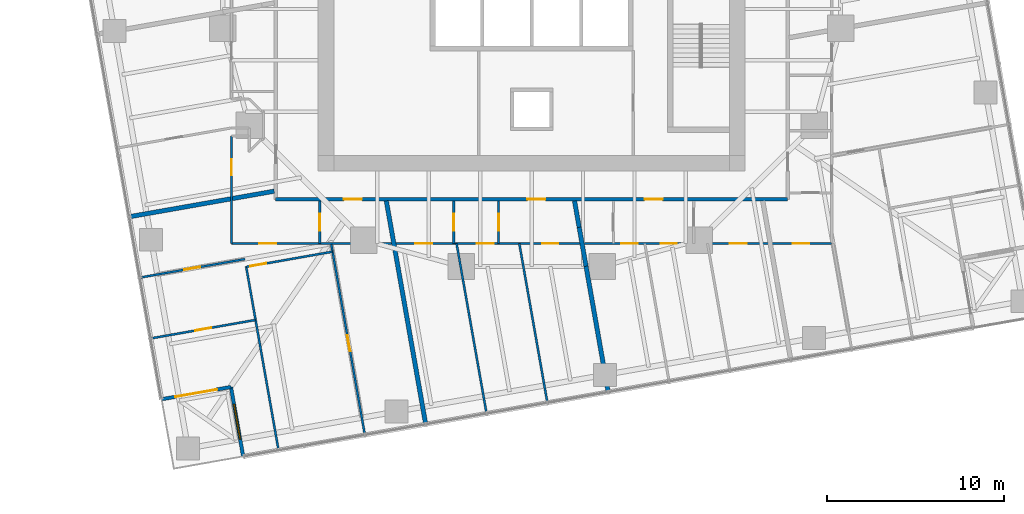
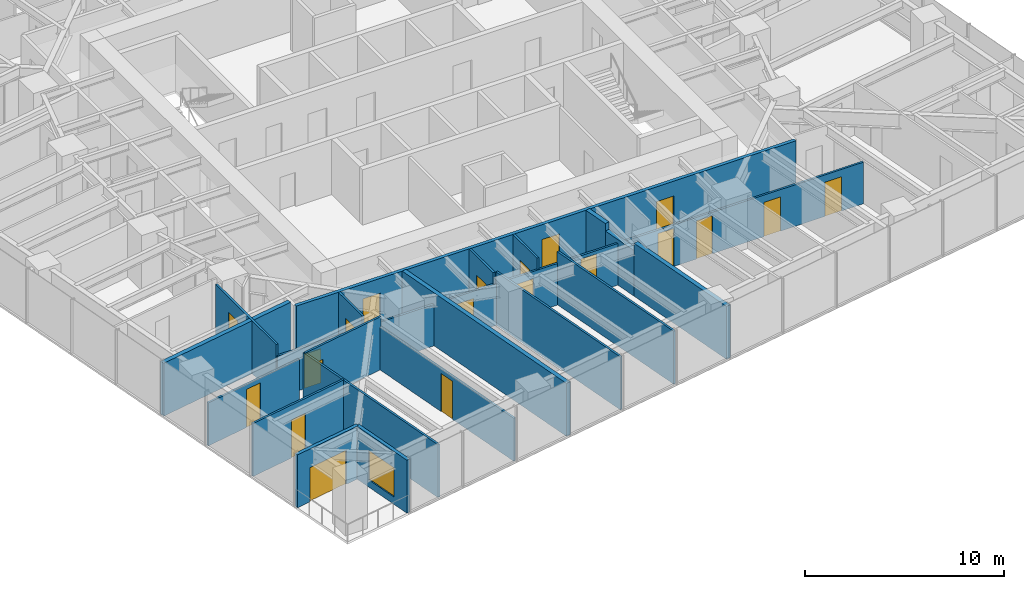
# One storey, part 8 of 14: 20 doors, 20 walls, 1 window, 21 openings.
"""IFC4 building model written with IfcOpenShell, lengths in metres."""

from ifc_helpers import new_model, si_unit, direction, frame, frame_2d, origin, place, context, subcontext, project, spatial, rectangle, extrude, material, layer, layer_set, type_object, element, fill, save


model = new_model("IFC4")

# Units and contexts
model_context = context("Model", 3, precision=1e-05, world=origin(), true_north=direction((0.0, 1.0)))
body_context = subcontext(model_context, "Body", "Model", "MODEL_VIEW")
ifc_project = project(units=[si_unit("LENGTHUNIT", "METRE"), si_unit("AREAUNIT", "SQUARE_METRE"), si_unit("VOLUMEUNIT", "CUBIC_METRE"), si_unit("PLANEANGLEUNIT", "RADIAN"), si_unit("MASSUNIT", "GRAM", prefix="KILO")], contexts=[model_context])

# Site, building, storey
site_placement = place(None, origin())
site = spatial("IfcSite", under=ifc_project, at=site_placement, CompositionType="ELEMENT")
building_placement = place(site_placement, origin())
building = spatial("IfcBuilding", under=site, at=building_placement, Name="Torsade Residences", CompositionType="ELEMENT")
storey_placement = place(building_placement, frame((0.0, 0.0, 96.39990234375)))
storey = spatial("IfcBuildingStorey", under=building, at=storey_placement, Name="L26", CompositionType="ELEMENT", Elevation=96.39990234375)

# Wall, openings, doors
ifc_material_1 = material(Name="Plasterboard on steel stud", Category="steel")
ifc_layer_1 = layer(ifc_material_1, 0.199951171875)
ifc_layer_set_1 = layer_set([ifc_layer_1], Name="Plasterboard on steel stud")
wall_type_1 = type_object("IfcWallType", Name="CORRIDOR WALL 200", PredefinedType="PARTITIONING", material=ifc_layer_set_1)
wall_1_placement = place(storey_placement, frame((25.5, 16.300048828125, 0.0), z_axis=(0.0, 0.0, 1.0), x_axis=(1.0, 0.0, 0.0)))
wall_1 = element("IfcWall", 1, at=wall_1_placement, inside=storey, type_object=wall_type_1, Name="Corridor wall L26", PredefinedType="PARTITIONING", context=body_context, shape_type="SweptSolid", body=[
    extrude(rectangle(XDim=29.0, YDim=0.199951171875, at=frame_2d((14.5, 0.0))), origin(), (0.0, 0.0, 1.0), 3.25),
])
opening_1_placement = place(wall_1_placement, frame((20.896240234375, 0.0, 0.0)))
opening_1 = element("IfcOpeningElement", 2, at=opening_1_placement, cuts=wall_1, Name="Opening D01", PredefinedType="OPENING", context=body_context, shape_type="SweptSolid", body=[
    extrude(rectangle(XDim=1.02001953125, YDim=2.340087890625, at=frame_2d((0.510009765625, 1.169921875))), frame((0.0, 0.10986328125, 0.0), z_axis=(0.0, -1.0, 0.0), x_axis=(1.0, 0.0, 0.0)), (0.0, 0.0, 1.0), 0.219970703125),
])
opening_2_placement = place(wall_1_placement, frame((14.257080078125, 0.0, 0.0)))
opening_2 = element("IfcOpeningElement", 3, at=opening_2_placement, cuts=wall_1, Name="Opening D01", PredefinedType="OPENING", context=body_context, shape_type="SweptSolid", body=[
    extrude(rectangle(XDim=1.02001953125, YDim=2.340087890625, at=frame_2d((0.510009765625, 1.169921875))), frame((0.0, 0.10986328125, 0.0), z_axis=(0.0, -1.0, 0.0), x_axis=(1.0, 0.0, 0.0)), (0.0, 0.0, 1.0), 0.219970703125),
])
opening_3_placement = place(wall_1_placement, frame((3.857421875, 0.0, 0.0)))
opening_3 = element("IfcOpeningElement", 4, at=opening_3_placement, cuts=wall_1, Name="Opening D01", PredefinedType="OPENING", context=body_context, shape_type="SweptSolid", body=[
    extrude(rectangle(XDim=1.02001953125, YDim=2.340087890625, at=frame_2d((0.510009765625, 1.169921875))), frame((0.0, 0.10986328125, 0.0), z_axis=(0.0, -1.0, 0.0), x_axis=(1.0, 0.0, 0.0)), (0.0, 0.0, 1.0), 0.219970703125),
])
ifc_material_2 = material(Name="Solid-core timber fire door", Category="wood")
door_type_1 = type_object("IfcDoorType", Name="APARTMENT ENTRY DOOR 1020x2340", OperationType="NOTDEFINED", PredefinedType="DOOR", material=ifc_material_2)
door_1_placement = place(opening_1_placement, origin())
door_1 = element("IfcDoor", 5, at=door_1_placement, inside=storey, type_object=door_type_1, Name="Door Residential corridor to Kitchen and dining", OperationType="SINGLE_SWING_LEFT", OverallHeight=2.340087890625, OverallWidth=1.02001953125, PredefinedType="DOOR", context=body_context, shape_type="SweptSolid", body=[
    extrude(rectangle(XDim=1.02001953125, YDim=2.340087890625, at=frame_2d((0.510009765625, 1.169921875))), frame((0.0, 0.02490234375, 0.0), z_axis=(0.0, -1.0, 0.0), x_axis=(1.0, 0.0, 0.0)), (0.0, 0.0, 1.0), 0.050048828125),
])
fill(opening_1, door_1)
door_2_placement = place(opening_2_placement, origin())
door_2 = element("IfcDoor", 6, at=door_2_placement, inside=storey, type_object=door_type_1, Name="Door Residential corridor to Kitchen and dining", OperationType="SINGLE_SWING_LEFT", OverallHeight=2.340087890625, OverallWidth=1.02001953125, PredefinedType="DOOR", context=body_context, shape_type="SweptSolid", body=[
    extrude(rectangle(XDim=1.02001953125, YDim=2.340087890625, at=frame_2d((0.510009765625, 1.169921875))), frame((0.0, 0.02490234375, 0.0), z_axis=(0.0, -1.0, 0.0), x_axis=(1.0, 0.0, 0.0)), (0.0, 0.0, 1.0), 0.050048828125),
])
fill(opening_2, door_2)
door_3_placement = place(opening_3_placement, origin())
door_3 = element("IfcDoor", 7, at=door_3_placement, inside=storey, type_object=door_type_1, Name="Door Residential corridor to Kitchen and dining", OperationType="SINGLE_SWING_RIGHT", OverallHeight=2.340087890625, OverallWidth=1.02001953125, PredefinedType="DOOR", context=body_context, shape_type="SweptSolid", body=[
    extrude(rectangle(XDim=1.02001953125, YDim=2.340087890625, at=frame_2d((0.510009765625, 1.169921875))), frame((0.0, 0.02490234375, 0.0), z_axis=(0.0, -1.0, 0.0), x_axis=(1.0, 0.0, 0.0)), (0.0, 0.0, 1.0), 0.050048828125),
])
fill(opening_3, door_3)

# Wall, opening, door
ifc_material_3 = material(Name="Plasterboard on steel stud", Category="steel")
ifc_layer_2 = layer(ifc_material_3, 0.1201171875)
ifc_layer_set_2 = layer_set([ifc_layer_2], Name="Plasterboard on steel stud")
wall_type_2 = type_object("IfcWallType", Name="PARTITION 120", PredefinedType="PARTITIONING", material=ifc_layer_set_2)
wall_2_placement = place(storey_placement, frame((23.0, 13.800048828125, 0.0), z_axis=(0.0, 0.0, 1.0), x_axis=(0.0, 1.0, 0.0)))
wall_2 = element("IfcWall", 8, at=wall_2_placement, inside=storey, type_object=wall_type_2, Name="Partition L26", PredefinedType="PARTITIONING", context=body_context, shape_type="SweptSolid", body=[
    extrude(rectangle(XDim=6.09423828125, YDim=0.1201171875, at=frame_2d((3.047119140625, 0.0))), origin(), (0.0, 0.0, 1.0), 3.25),
])
opening_4_placement = place(wall_2_placement, frame((3.857421875, 0.0, 0.0)))
opening_4 = element("IfcOpeningElement", 9, at=opening_4_placement, cuts=wall_2, Name="Opening D02", PredefinedType="OPENING", context=body_context, shape_type="SweptSolid", body=[
    extrude(rectangle(XDim=0.919921875, YDim=2.340087890625, at=frame_2d((0.4599609375, 1.169921875))), frame((0.0, 0.070068359375, 0.0), z_axis=(0.0, -1.0, 0.0), x_axis=(1.0, 0.0, 0.0)), (0.0, 0.0, 1.0), 0.14013671875),
])
ifc_material_4 = material(Name="Hollow-core timber door", Category="wood")
door_type_2 = type_object("IfcDoorType", Name="INTERNAL DOOR 920x2340", OperationType="NOTDEFINED", PredefinedType="DOOR", material=ifc_material_4)
door_4_placement = place(opening_4_placement, origin())
door_4 = element("IfcDoor", 10, at=door_4_placement, inside=storey, type_object=door_type_2, Name="Door Kitchen and dining to Bedroom 1", OperationType="SINGLE_SWING_LEFT", OverallHeight=2.340087890625, OverallWidth=0.919921875, PredefinedType="DOOR", context=body_context, shape_type="SweptSolid", body=[
    extrude(rectangle(XDim=0.919921875, YDim=2.340087890625, at=frame_2d((0.4599609375, 1.169921875))), frame((0.0, 0.02490234375, 0.0), z_axis=(0.0, -1.0, 0.0), x_axis=(1.0, 0.0, 0.0)), (0.0, 0.0, 1.0), 0.050048828125),
])
fill(opening_4, door_4)

wall_3_placement = place(storey_placement, frame((27.994873046875, 13.800048828125, 0.0), z_axis=(0.0, 0.0, 1.0), x_axis=(0.0, 1.0, 0.0)))
wall_3 = element("IfcWall", 11, at=wall_3_placement, inside=storey, type_object=wall_type_2, Name="Partition L26", PredefinedType="PARTITIONING", context=body_context, shape_type="SweptSolid", body=[
    extrude(rectangle(XDim=2.39990234375, YDim=0.1201171875, at=frame_2d((1.199951171875, 0.0))), origin(), (0.0, 0.0, 1.0), 3.25),
])
opening_5_placement = place(wall_3_placement, frame((0.719970703125, 0.0, 0.0)))
opening_5 = element("IfcOpeningElement", 12, at=opening_5_placement, cuts=wall_3, Name="Opening D05", PredefinedType="OPENING", context=body_context, shape_type="SweptSolid", body=[
    extrude(rectangle(XDim=0.9599609375, YDim=2.10009765625, at=frame_2d((0.47998046875, 1.050048828125))), frame((0.0, 0.070068359375, 0.0), z_axis=(0.0, -1.0, 0.0), x_axis=(1.0, 0.0, 0.0)), (0.0, 0.0, 1.0), 0.14013671875),
])
ifc_material_5 = material(Name="Hollow-core timber door in a steel cavity frame", Category="steel")
door_type_3 = type_object("IfcDoorType", Name="BATHROOM CAVITY SLIDING DOOR 960", OperationType="SLIDING_TO_LEFT", PredefinedType="DOOR", material=ifc_material_5)
door_5_placement = place(opening_5_placement, origin())
door_5 = element("IfcDoor", 13, at=door_5_placement, inside=storey, type_object=door_type_3, Name="Door Kitchen and dining to Bathroom", OperationType="SLIDING_TO_LEFT", OverallHeight=2.10009765625, OverallWidth=0.9599609375, PredefinedType="DOOR", context=body_context, shape_type="SweptSolid", body=[
    extrude(rectangle(XDim=0.9599609375, YDim=2.10009765625, at=frame_2d((0.47998046875, 1.050048828125))), frame((0.0, 0.02490234375, 0.0), z_axis=(0.0, -1.0, 0.0), x_axis=(1.0, 0.0, 0.0)), (0.0, 0.0, 1.0), 0.050048828125),
])
fill(opening_5, door_5)

# Wall, openings, doors
wall_4_placement = place(storey_placement, frame((57.0, 13.800048828125, 0.0), z_axis=(0.0, 0.0, 1.0), x_axis=(-1.0, 0.0, 0.0)))
wall_4 = element("IfcWall", 14, at=wall_4_placement, inside=storey, type_object=wall_type_2, Name="Partition L26", PredefinedType="PARTITIONING", context=body_context, shape_type="SweptSolid", body=[
    extrude(rectangle(XDim=34.0, YDim=0.1201171875, at=frame_2d((17.0, 0.0))), origin(), (0.0, 0.0, 1.0), 2.550048828125),
])
opening_6_placement = place(wall_4_placement, frame((8.767822265625, 0.0, 0.0)))
opening_6 = element("IfcOpeningElement", 15, at=opening_6_placement, cuts=wall_4, Name="Opening D02", PredefinedType="OPENING", context=body_context, shape_type="SweptSolid", body=[
    extrude(rectangle(XDim=0.919921875, YDim=2.340087890625, at=frame_2d((0.4599609375, 1.169921875))), frame((0.0, 0.070068359375, 0.0), z_axis=(0.0, -1.0, 0.0), x_axis=(1.0, 0.0, 0.0)), (0.0, 0.0, 1.0), 0.14013671875),
])
opening_7_placement = place(wall_4_placement, frame((10.995361328125, 0.0, 0.0)))
opening_7 = element("IfcOpeningElement", 16, at=opening_7_placement, cuts=wall_4, Name="Opening D02", PredefinedType="OPENING", context=body_context, shape_type="SweptSolid", body=[
    extrude(rectangle(XDim=0.919921875, YDim=2.340087890625, at=frame_2d((0.4599609375, 1.169921875))), frame((0.0, 0.070068359375, 0.0), z_axis=(0.0, -1.0, 0.0), x_axis=(1.0, 0.0, 0.0)), (0.0, 0.0, 1.0), 0.14013671875),
])
opening_8_placement = place(wall_4_placement, frame((15.48583984375, 0.0, 0.0)))
opening_8 = element("IfcOpeningElement", 17, at=opening_8_placement, cuts=wall_4, Name="Opening D02", PredefinedType="OPENING", context=body_context, shape_type="SweptSolid", body=[
    extrude(rectangle(XDim=0.919921875, YDim=2.340087890625, at=frame_2d((0.4599609375, 1.169921875))), frame((0.0, 0.070068359375, 0.0), z_axis=(0.0, -1.0, 0.0), x_axis=(1.0, 0.0, 0.0)), (0.0, 0.0, 1.0), 0.14013671875),
])
opening_9_placement = place(wall_4_placement, frame((4.803955078125, 0.0, 0.0)))
opening_9 = element("IfcOpeningElement", 18, at=opening_9_placement, cuts=wall_4, Name="Opening D05", PredefinedType="OPENING", context=body_context, shape_type="SweptSolid", body=[
    extrude(rectangle(XDim=0.9599609375, YDim=2.10009765625, at=frame_2d((0.47998046875, 1.050048828125))), frame((0.0, 0.070068359375, 0.0), z_axis=(0.0, -1.0, 0.0), x_axis=(1.0, 0.0, 0.0)), (0.0, 0.0, 1.0), 0.14013671875),
])
opening_10_placement = place(wall_4_placement, frame((19.155029296875, 0.0, 0.0)))
opening_10 = element("IfcOpeningElement", 19, at=opening_10_placement, cuts=wall_4, Name="Opening D05", PredefinedType="OPENING", context=body_context, shape_type="SweptSolid", body=[
    extrude(rectangle(XDim=0.9599609375, YDim=2.10009765625, at=frame_2d((0.47998046875, 1.050048828125))), frame((0.0, 0.070068359375, 0.0), z_axis=(0.0, -1.0, 0.0), x_axis=(1.0, 0.0, 0.0)), (0.0, 0.0, 1.0), 0.14013671875),
])
opening_11_placement = place(wall_4_placement, frame((31.47265625, 0.0, 0.0)))
opening_11 = element("IfcOpeningElement", 20, at=opening_11_placement, cuts=wall_4, Name="Opening D05", PredefinedType="OPENING", context=body_context, shape_type="SweptSolid", body=[
    extrude(rectangle(XDim=0.9599609375, YDim=2.10009765625, at=frame_2d((0.47998046875, 1.050048828125))), frame((0.0, 0.070068359375, 0.0), z_axis=(0.0, -1.0, 0.0), x_axis=(1.0, 0.0, 0.0)), (0.0, 0.0, 1.0), 0.14013671875),
])
opening_12_placement = place(wall_4_placement, frame((1.2607421875, 0.0, 0.0)))
opening_12 = element("IfcOpeningElement", 21, at=opening_12_placement, cuts=wall_4, Name="Opening D05", PredefinedType="OPENING", context=body_context, shape_type="SweptSolid", body=[
    extrude(rectangle(XDim=0.9599609375, YDim=2.10009765625, at=frame_2d((0.47998046875, 1.050048828125))), frame((0.0, 0.070068359375, 0.0), z_axis=(0.0, -1.0, 0.0), x_axis=(1.0, 0.0, 0.0)), (0.0, 0.0, 1.0), 0.14013671875),
])
opening_13_placement = place(wall_4_placement, frame((22.627197265625, 0.0, 0.0)))
opening_13 = element("IfcOpeningElement", 22, at=opening_13_placement, cuts=wall_4, Name="Opening D05", PredefinedType="OPENING", context=body_context, shape_type="SweptSolid", body=[
    extrude(rectangle(XDim=0.9599609375, YDim=2.10009765625, at=frame_2d((0.47998046875, 1.050048828125))), frame((0.0, 0.070068359375, 0.0), z_axis=(0.0, -1.0, 0.0), x_axis=(1.0, 0.0, 0.0)), (0.0, 0.0, 1.0), 0.14013671875),
])
door_6_placement = place(opening_9_placement, origin())
door_6 = element("IfcDoor", 23, at=door_6_placement, inside=storey, type_object=door_type_3, Name="Door Bathroom to Bedroom 2", OperationType="SLIDING_TO_LEFT", OverallHeight=2.10009765625, OverallWidth=0.9599609375, PredefinedType="DOOR", context=body_context, shape_type="SweptSolid", body=[
    extrude(rectangle(XDim=0.9599609375, YDim=2.10009765625, at=frame_2d((0.47998046875, 1.050048828125))), frame((0.0, 0.02490234375, 0.0), z_axis=(0.0, -1.0, 0.0), x_axis=(1.0, 0.0, 0.0)), (0.0, 0.0, 1.0), 0.050048828125),
])
fill(opening_9, door_6)
door_7_placement = place(opening_10_placement, origin())
door_7 = element("IfcDoor", 24, at=door_7_placement, inside=storey, type_object=door_type_3, Name="Door Ensuite to Bedroom 1", OperationType="SLIDING_TO_LEFT", OverallHeight=2.10009765625, OverallWidth=0.9599609375, PredefinedType="DOOR", context=body_context, shape_type="SweptSolid", body=[
    extrude(rectangle(XDim=0.9599609375, YDim=2.10009765625, at=frame_2d((0.47998046875, 1.050048828125))), frame((0.0, 0.02490234375, 0.0), z_axis=(0.0, -1.0, 0.0), x_axis=(1.0, 0.0, 0.0)), (0.0, 0.0, 1.0), 0.050048828125),
])
fill(opening_10, door_7)
door_8_placement = place(opening_11_placement, origin())
door_8 = element("IfcDoor", 25, at=door_8_placement, inside=storey, type_object=door_type_3, Name="Door Bathroom to Study", OperationType="SLIDING_TO_LEFT", OverallHeight=2.10009765625, OverallWidth=0.9599609375, PredefinedType="DOOR", context=body_context, shape_type="SweptSolid", body=[
    extrude(rectangle(XDim=0.9599609375, YDim=2.10009765625, at=frame_2d((0.47998046875, 1.050048828125))), frame((0.0, 0.02490234375, 0.0), z_axis=(0.0, -1.0, 0.0), x_axis=(1.0, 0.0, 0.0)), (0.0, 0.0, 1.0), 0.050048828125),
])
fill(opening_11, door_8)
door_9_placement = place(opening_12_placement, origin())
door_9 = element("IfcDoor", 26, at=door_9_placement, inside=storey, type_object=door_type_3, Name="Door WC to Family room", OperationType="SLIDING_TO_LEFT", OverallHeight=2.10009765625, OverallWidth=0.9599609375, PredefinedType="DOOR", context=body_context, shape_type="SweptSolid", body=[
    extrude(rectangle(XDim=0.9599609375, YDim=2.10009765625, at=frame_2d((0.47998046875, 1.050048828125))), frame((0.0, 0.02490234375, 0.0), z_axis=(0.0, -1.0, 0.0), x_axis=(1.0, 0.0, 0.0)), (0.0, 0.0, 1.0), 0.050048828125),
])
fill(opening_12, door_9)
door_10_placement = place(opening_13_placement, origin())
door_10 = element("IfcDoor", 27, at=door_10_placement, inside=storey, type_object=door_type_3, Name="Door Bathroom to Living room", OperationType="SLIDING_TO_LEFT", OverallHeight=2.10009765625, OverallWidth=0.9599609375, PredefinedType="DOOR", context=body_context, shape_type="SweptSolid", body=[
    extrude(rectangle(XDim=0.9599609375, YDim=2.10009765625, at=frame_2d((0.47998046875, 1.050048828125))), frame((0.0, 0.02490234375, 0.0), z_axis=(0.0, -1.0, 0.0), x_axis=(1.0, 0.0, 0.0)), (0.0, 0.0, 1.0), 0.050048828125),
])
fill(opening_13, door_10)
door_11_placement = place(opening_6_placement, origin())
door_11 = element("IfcDoor", 28, at=door_11_placement, inside=storey, type_object=door_type_2, Name="Door Kitchen and dining to Bedroom 1", OperationType="SINGLE_SWING_LEFT", OverallHeight=2.340087890625, OverallWidth=0.919921875, PredefinedType="DOOR", context=body_context, shape_type="SweptSolid", body=[
    extrude(rectangle(XDim=0.919921875, YDim=2.340087890625, at=frame_2d((0.4599609375, 1.169921875))), frame((0.0, 0.02490234375, 0.0), z_axis=(0.0, -1.0, 0.0), x_axis=(1.0, 0.0, 0.0)), (0.0, 0.0, 1.0), 0.050048828125),
])
fill(opening_6, door_11)
door_12_placement = place(opening_7_placement, origin())
door_12 = element("IfcDoor", 29, at=door_12_placement, inside=storey, type_object=door_type_2, Name="Door Kitchen and dining to Living room", OperationType="SINGLE_SWING_LEFT", OverallHeight=2.340087890625, OverallWidth=0.919921875, PredefinedType="DOOR", context=body_context, shape_type="SweptSolid", body=[
    extrude(rectangle(XDim=0.919921875, YDim=2.340087890625, at=frame_2d((0.4599609375, 1.169921875))), frame((0.0, 0.02490234375, 0.0), z_axis=(0.0, -1.0, 0.0), x_axis=(1.0, 0.0, 0.0)), (0.0, 0.0, 1.0), 0.050048828125),
])
fill(opening_7, door_12)
door_13_placement = place(opening_8_placement, origin())
door_13 = element("IfcDoor", 30, at=door_13_placement, inside=storey, type_object=door_type_2, Name="Door Kitchen and dining to Bedroom 2", OperationType="SINGLE_SWING_RIGHT", OverallHeight=2.340087890625, OverallWidth=0.919921875, PredefinedType="DOOR", context=body_context, shape_type="SweptSolid", body=[
    extrude(rectangle(XDim=0.919921875, YDim=2.340087890625, at=frame_2d((0.4599609375, 1.169921875))), frame((0.0, 0.02490234375, 0.0), z_axis=(0.0, -1.0, 0.0), x_axis=(1.0, 0.0, 0.0)), (0.0, 0.0, 1.0), 0.050048828125),
])
fill(opening_8, door_13)

# Wall, opening, door
wall_5_placement = place(storey_placement, frame((28.647705078125, 13.759765625, 0.0), z_axis=(0.0, 0.0, 1.0), x_axis=(0.173632532564, -0.984810511538, 0.0)))
wall_5 = element("IfcWall", 31, at=wall_5_placement, inside=storey, type_object=wall_type_2, Name="Partition L26", PredefinedType="PARTITIONING", context=body_context, shape_type="SweptSolid", body=[
    extrude(rectangle(XDim=10.93798828125, YDim=0.1201171875, at=frame_2d((5.468994140625, 0.0))), origin(), (0.0, 0.0, 1.0), 2.63818359375),
])
opening_14_placement = place(wall_5_placement, frame((5.24267578125, 0.0, 0.0)))
opening_14 = element("IfcOpeningElement", 32, at=opening_14_placement, cuts=wall_5, Name="Opening D02", PredefinedType="OPENING", context=body_context, shape_type="SweptSolid", body=[
    extrude(rectangle(XDim=0.919921875, YDim=2.340087890625, at=frame_2d((0.4599609375, 1.169921875))), frame((0.0, 0.070068359375, 0.0), z_axis=(0.0, -1.0, 0.0), x_axis=(1.0, 0.0, 0.0)), (0.0, 0.0, 1.0), 0.14013671875),
])
door_14_placement = place(opening_14_placement, origin())
door_14 = element("IfcDoor", 33, at=door_14_placement, inside=storey, type_object=door_type_2, Name="Door Living room to Bedroom 1", OperationType="SINGLE_SWING_RIGHT", OverallHeight=2.340087890625, OverallWidth=0.919921875, PredefinedType="DOOR", context=body_context, shape_type="SweptSolid", body=[
    extrude(rectangle(XDim=0.919921875, YDim=2.340087890625, at=frame_2d((0.4599609375, 1.169921875))), frame((0.0, 0.02490234375, 0.0), z_axis=(0.0, -1.0, 0.0), x_axis=(1.0, 0.0, 0.0)), (0.0, 0.0, 1.0), 0.050048828125),
])
fill(opening_14, door_14)

# Wall
wall_6_placement = place(storey_placement, frame((25.65576171875, 2.125732421875, 0.0), z_axis=(0.0, 0.0, 1.0), x_axis=(-0.173653317458, 0.984806846715, 0.0)))
element("IfcWall", 34, at=wall_6_placement, inside=storey, type_object=wall_type_2, Name="Partition L26", PredefinedType="PARTITIONING", context=body_context, shape_type="SweptSolid", body=[
    extrude(rectangle(XDim=10.550048828125, YDim=0.1201171875, at=frame_2d((5.27490234375, 0.0))), origin(), (0.0, 0.0, 1.0), 3.25),
])

# Wall, opening, door
wall_7_placement = place(storey_placement, frame((23.830810546875, 12.47607421875, 0.0), z_axis=(0.0, 0.0, 1.0), x_axis=(0.984810765884, 0.173631089957, 0.0)))
wall_7 = element("IfcWall", 35, at=wall_7_placement, inside=storey, type_object=wall_type_2, Name="Partition L26", PredefinedType="PARTITIONING", context=body_context, shape_type="SweptSolid", body=[
    extrude(rectangle(XDim=4.96630859375, YDim=0.1201171875, at=frame_2d((2.483154296875, 0.0))), origin(), (0.0, 0.0, 1.0), 3.25),
])
opening_15_placement = place(wall_7_placement, frame((0.223388671875, 0.0, 0.0)))
opening_15 = element("IfcOpeningElement", 36, at=opening_15_placement, cuts=wall_7, Name="Opening D02", PredefinedType="OPENING", context=body_context, shape_type="SweptSolid", body=[
    extrude(rectangle(XDim=0.919921875, YDim=2.340087890625, at=frame_2d((0.4599609375, 1.169921875))), frame((0.0, 0.070068359375, 0.0), z_axis=(0.0, -1.0, 0.0), x_axis=(1.0, 0.0, 0.0)), (0.0, 0.0, 1.0), 0.14013671875),
])
door_15_placement = place(opening_15_placement, origin())
door_15 = element("IfcDoor", 37, at=door_15_placement, inside=storey, type_object=door_type_2, Name="Door Study to Living room", OperationType="SINGLE_SWING_LEFT", OverallHeight=2.340087890625, OverallWidth=0.919921875, PredefinedType="DOOR", context=body_context, shape_type="SweptSolid", body=[
    extrude(rectangle(XDim=0.919921875, YDim=2.340087890625, at=frame_2d((0.4599609375, 1.169921875))), frame((0.0, 0.02490234375, 0.0), z_axis=(0.0, -1.0, 0.0), x_axis=(1.0, 0.0, 0.0)), (0.0, 0.0, 1.0), 0.050048828125),
])
fill(opening_15, door_15)

wall_8_placement = place(storey_placement, frame((18.4580078125, 8.431640625, 0.0), z_axis=(0.0, 0.0, 1.0), x_axis=(0.984806924634, 0.173652875567, 0.0)))
wall_8 = element("IfcWall", 38, at=wall_8_placement, inside=storey, type_object=wall_type_2, Name="Partition L26", PredefinedType="PARTITIONING", context=body_context, shape_type="SweptSolid", body=[
    extrude(rectangle(XDim=5.993408203125, YDim=0.1201171875, at=frame_2d((2.99658203125, 0.0))), origin(), (0.0, 0.0, 1.0), 3.25),
])
opening_16_placement = place(wall_8_placement, frame((2.5166015625, 0.0, 0.0)))
opening_16 = element("IfcOpeningElement", 39, at=opening_16_placement, cuts=wall_8, Name="Opening D02", PredefinedType="OPENING", context=body_context, shape_type="SweptSolid", body=[
    extrude(rectangle(XDim=0.919921875, YDim=2.340087890625, at=frame_2d((0.4599609375, 1.169921875))), frame((0.0, 0.070068359375, 0.0), z_axis=(0.0, -1.0, 0.0), x_axis=(1.0, 0.0, 0.0)), (0.0, 0.0, 1.0), 0.14013671875),
])
door_16_placement = place(opening_16_placement, origin())
door_16 = element("IfcDoor", 40, at=door_16_placement, inside=storey, type_object=door_type_2, Name="Door Family room to Bedroom 2", OperationType="SINGLE_SWING_RIGHT", OverallHeight=2.340087890625, OverallWidth=0.919921875, PredefinedType="DOOR", context=body_context, shape_type="SweptSolid", body=[
    extrude(rectangle(XDim=0.919921875, YDim=2.340087890625, at=frame_2d((0.4599609375, 1.169921875))), frame((0.0, 0.02490234375, 0.0), z_axis=(0.0, -1.0, 0.0), x_axis=(1.0, 0.0, 0.0)), (0.0, 0.0, 1.0), 0.050048828125),
])
fill(opening_16, door_16)

wall_9_placement = place(storey_placement, frame((23.752685546875, 12.919189453125, 0.0), z_axis=(0.0, 0.0, 1.0), x_axis=(-0.984806924634, -0.173652875567, 0.0)))
wall_9 = element("IfcWall", 41, at=wall_9_placement, inside=storey, type_object=wall_type_2, Name="Partition L26", PredefinedType="PARTITIONING", context=body_context, shape_type="SweptSolid", body=[
    extrude(rectangle(XDim=5.993408203125, YDim=0.1201171875, at=frame_2d((2.99658203125, 0.0))), origin(), (0.0, 0.0, 1.0), 2.63818359375),
])
opening_17_placement = place(wall_9_placement, frame((2.556640625, 0.0, 0.0)))
opening_17 = element("IfcOpeningElement", 42, at=opening_17_placement, cuts=wall_9, Name="Opening D02", PredefinedType="OPENING", context=body_context, shape_type="SweptSolid", body=[
    extrude(rectangle(XDim=0.919921875, YDim=2.340087890625, at=frame_2d((0.4599609375, 1.169921875))), frame((0.0, 0.070068359375, 0.0), z_axis=(0.0, -1.0, 0.0), x_axis=(1.0, 0.0, 0.0)), (0.0, 0.0, 1.0), 0.14013671875),
])
door_17_placement = place(opening_17_placement, origin())
door_17 = element("IfcDoor", 43, at=door_17_placement, inside=storey, type_object=door_type_2, Name="Door Study to Family room", OperationType="SINGLE_SWING_LEFT", OverallHeight=2.340087890625, OverallWidth=0.919921875, PredefinedType="DOOR", context=body_context, shape_type="SweptSolid", body=[
    extrude(rectangle(XDim=0.919921875, YDim=2.340087890625, at=frame_2d((0.4599609375, 1.169921875))), frame((0.0, 0.02490234375, 0.0), z_axis=(0.0, -1.0, 0.0), x_axis=(1.0, 0.0, 0.0)), (0.0, 0.0, 1.0), 0.050048828125),
])
fill(opening_17, door_17)

wall_10_placement = place(storey_placement, frame((38.132080078125, 13.800048828125, 0.0), z_axis=(0.0, 0.0, 1.0), x_axis=(0.0, 1.0, 0.0)))
wall_10 = element("IfcWall", 44, at=wall_10_placement, inside=storey, type_object=wall_type_2, Name="Partition L26", PredefinedType="PARTITIONING", context=body_context, shape_type="SweptSolid", body=[
    extrude(rectangle(XDim=2.39990234375, YDim=0.1201171875, at=frame_2d((1.199951171875, 0.0))), origin(), (0.0, 0.0, 1.0), 3.25),
])
opening_18_placement = place(wall_10_placement, frame((0.719970703125, 0.0, 0.0)))
opening_18 = element("IfcOpeningElement", 45, at=opening_18_placement, cuts=wall_10, Name="Opening D05", PredefinedType="OPENING", context=body_context, shape_type="SweptSolid", body=[
    extrude(rectangle(XDim=0.9599609375, YDim=2.10009765625, at=frame_2d((0.47998046875, 1.050048828125))), frame((0.0, 0.070068359375, 0.0), z_axis=(0.0, -1.0, 0.0), x_axis=(1.0, 0.0, 0.0)), (0.0, 0.0, 1.0), 0.14013671875),
])
door_18_placement = place(opening_18_placement, origin())
door_18 = element("IfcDoor", 46, at=door_18_placement, inside=storey, type_object=door_type_3, Name="Door Kitchen and dining to Ensuite", OperationType="SLIDING_TO_LEFT", OverallHeight=2.10009765625, OverallWidth=0.9599609375, PredefinedType="DOOR", context=body_context, shape_type="SweptSolid", body=[
    extrude(rectangle(XDim=0.9599609375, YDim=2.10009765625, at=frame_2d((0.47998046875, 1.050048828125))), frame((0.0, 0.02490234375, 0.0), z_axis=(0.0, -1.0, 0.0), x_axis=(1.0, 0.0, 0.0)), (0.0, 0.0, 1.0), 0.050048828125),
])
fill(opening_18, door_18)

wall_11_placement = place(storey_placement, frame((35.591064453125, 16.199951171875, 0.0), z_axis=(0.0, 0.0, 1.0), x_axis=(0.0, -1.0, 0.0)))
wall_11 = element("IfcWall", 47, at=wall_11_placement, inside=storey, type_object=wall_type_2, Name="Partition L26", PredefinedType="PARTITIONING", context=body_context, shape_type="SweptSolid", body=[
    extrude(rectangle(XDim=2.39990234375, YDim=0.1201171875, at=frame_2d((1.199951171875, 0.0))), origin(), (0.0, 0.0, 1.0), 3.25),
])
opening_19_placement = place(wall_11_placement, frame((0.719970703125, 0.0, 0.0)))
opening_19 = element("IfcOpeningElement", 48, at=opening_19_placement, cuts=wall_11, Name="Opening D05", PredefinedType="OPENING", context=body_context, shape_type="SweptSolid", body=[
    extrude(rectangle(XDim=0.9599609375, YDim=2.10009765625, at=frame_2d((0.47998046875, 1.050048828125))), frame((0.0, 0.070068359375, 0.0), z_axis=(0.0, -1.0, 0.0), x_axis=(1.0, 0.0, 0.0)), (0.0, 0.0, 1.0), 0.14013671875),
])
door_19_placement = place(opening_19_placement, origin())
door_19 = element("IfcDoor", 49, at=door_19_placement, inside=storey, type_object=door_type_3, Name="Door Ensuite to Bathroom", OperationType="SLIDING_TO_LEFT", OverallHeight=2.10009765625, OverallWidth=0.9599609375, PredefinedType="DOOR", context=body_context, shape_type="SweptSolid", body=[
    extrude(rectangle(XDim=0.9599609375, YDim=2.10009765625, at=frame_2d((0.47998046875, 1.050048828125))), frame((0.0, 0.02490234375, 0.0), z_axis=(0.0, -1.0, 0.0), x_axis=(1.0, 0.0, 0.0)), (0.0, 0.0, 1.0), 0.050048828125),
])
fill(opening_19, door_19)

# Walls
wall_12_placement = place(storey_placement, frame((35.74853515625, 13.800048828125, 0.0), z_axis=(0.0, 0.0, 1.0), x_axis=(0.173650980998, -0.984807258705, 0.0)))
element("IfcWall", 50, at=wall_12_placement, inside=storey, type_object=wall_type_2, Name="Partition L26", PredefinedType="PARTITIONING", context=body_context, shape_type="SweptSolid", body=[
    extrude(rectangle(XDim=9.744384765625, YDim=0.1201171875, at=frame_2d((4.8720703125, 0.0))), origin(), (0.0, 0.0, 1.0), 3.25),
])
wall_13_placement = place(storey_placement, frame((39.302490234375, 13.800048828125, 0.0), z_axis=(0.0, 0.0, 1.0), x_axis=(0.173652576186, -0.984806977424, 0.0)))
element("IfcWall", 51, at=wall_13_placement, inside=storey, type_object=wall_type_2, Name="Partition L26", PredefinedType="PARTITIONING", context=body_context, shape_type="SweptSolid", body=[
    extrude(rectangle(XDim=9.127197265625, YDim=0.1201171875, at=frame_2d((4.5634765625, 0.0))), origin(), (0.0, 0.0, 1.0), 3.25),
])
ifc_material_6 = material(Name="Masonry-lined stud party wall", Category="masonry")
ifc_layer_3 = layer(ifc_material_6, 0.25)
ifc_layer_set_3 = layer_set([ifc_layer_3], Name="Masonry-lined stud party wall")
wall_type_3 = type_object("IfcWallType", Name="PARTY WALL 250", PredefinedType="PARTITIONING", material=ifc_layer_set_3)
wall_14_placement = place(storey_placement, frame((44.34130859375, 5.3798828125, 0.0), z_axis=(0.0, 0.0, 1.0), x_axis=(-0.173677660443, 0.984802553948, 0.0)))
element("IfcWall", 52, at=wall_14_placement, inside=storey, type_object=wall_type_3, Name="Party wall L26", PredefinedType="PARTITIONING", context=body_context, shape_type="SweptSolid", body=[
    extrude(rectangle(XDim=7.24365234375, YDim=0.25, at=frame_2d((3.621826171875, 0.0))), origin(), (0.0, 0.0, 1.0), 3.25),
])
wall_15_placement = place(storey_placement, frame((43.083251953125, 12.513427734375, 0.0), z_axis=(0.0, 0.0, 1.0), x_axis=(-0.17363609779, 0.984809882944, 0.0)))
element("IfcWall", 53, at=wall_15_placement, inside=storey, type_object=wall_type_3, Name="Party wall L26", PredefinedType="PARTITIONING", context=body_context, shape_type="SweptSolid", body=[
    extrude(rectangle(XDim=2.23974609375, YDim=0.25, at=frame_2d((1.119873046875, 0.0))), origin(), (0.0, 0.0, 1.0), 2.796142578125),
])
wall_16_placement = place(storey_placement, frame((42.6943359375, 14.71923828125, 0.0), z_axis=(0.0, 0.0, 1.0), x_axis=(-0.173602272028, 0.984815846312, 0.0)))
element("IfcWall", 54, at=wall_16_placement, inside=storey, type_object=wall_type_3, Name="Party wall L26", PredefinedType="PARTITIONING", context=body_context, shape_type="SweptSolid", body=[
    extrude(rectangle(XDim=1.521728515625, YDim=0.25, at=frame_2d((0.7607421875, 0.0))), origin(), (0.0, 0.0, 1.0), 3.25),
])
wall_17_placement = place(storey_placement, frame((34.000732421875, 3.556396484375, 0.0), z_axis=(0.0, 0.0, 1.0), x_axis=(-0.173639088111, 0.984809355703, 0.0)))
element("IfcWall", 55, at=wall_17_placement, inside=storey, type_object=wall_type_3, Name="Party wall L26", PredefinedType="PARTITIONING", context=body_context, shape_type="SweptSolid", body=[
    extrude(rectangle(XDim=12.856689453125, YDim=0.25, at=frame_2d((6.42822265625, 0.0))), origin(), (0.0, 0.0, 1.0), 3.25),
])
wall_18_placement = place(storey_placement, frame((17.203125, 15.318359375, 0.0), z_axis=(0.0, 0.0, 1.0), x_axis=(0.984807121942, 0.173651756605, 0.0)))
element("IfcWall", 56, at=wall_18_placement, inside=storey, type_object=wall_type_3, Name="Party wall L26", PredefinedType="PARTITIONING", context=body_context, shape_type="SweptSolid", body=[
    extrude(rectangle(XDim=8.34130859375, YDim=0.25, at=frame_2d((4.170654296875, 0.0))), origin(), (0.0, 0.0, 1.0), 3.25),
])

# Wall, opening, door
ifc_material_7 = material(Name="Stone-faced precast concrete 40 MPa panel", Category="masonry")
ifc_layer_4 = layer(ifc_material_7, 0.199951171875)
ifc_layer_set_4 = layer_set([ifc_layer_4], Name="Stone-faced precast concrete 40 MPa panel")
wall_type_4 = type_object("IfcWallType", Name="TERRACE WALL 200", PredefinedType="SOLIDWALL", material=ifc_layer_set_4)
wall_19_placement = place(storey_placement, frame((19.0263671875, 4.977783203125, 0.0), z_axis=(0.0, 0.0, 1.0), x_axis=(0.984808127031, 0.173646056486, 0.0)))
wall_19 = element("IfcWall", 57, at=wall_19_placement, inside=storey, type_object=wall_type_4, Name="Terrace wall L26 11", PredefinedType="SOLIDWALL", context=body_context, shape_type="SweptSolid", body=[
    extrude(rectangle(XDim=4.0, YDim=0.199951171875, at=frame_2d((2.0, 0.0))), origin(), (0.0, 0.0, 1.0), 3.25),
])
opening_20_placement = place(wall_19_placement, frame((0.800048828125, 0.0, 0.0)))
opening_20 = element("IfcOpeningElement", 58, at=opening_20_placement, cuts=wall_19, Name="Opening D10A", PredefinedType="OPENING", context=body_context, shape_type="SweptSolid", body=[
    extrude(rectangle(XDim=2.39990234375, YDim=2.10009765625, at=frame_2d((1.199951171875, 1.050048828125))), frame((0.0, 0.10986328125, 0.0), z_axis=(0.0, -1.0, 0.0), x_axis=(1.0, 0.0, 0.0)), (0.0, 0.0, 1.0), 0.219970703125),
])
ifc_material_8 = material(Name="Aluminium-framed glass door", Category="aluminium")
door_type_4 = type_object("IfcDoorType", Name="TERRACE SLIDING DOOR 2400x2100", OperationType="SLIDING_TO_LEFT", PredefinedType="DOOR", material=ifc_material_8)
door_20_placement = place(opening_20_placement, origin())
door_20 = element("IfcDoor", 59, at=door_20_placement, inside=storey, type_object=door_type_4, Name="Terrace door L26 11", OperationType="SLIDING_TO_LEFT", OverallHeight=2.10009765625, OverallWidth=2.39990234375, PredefinedType="DOOR", context=body_context, shape_type="SweptSolid", body=[
    extrude(rectangle(XDim=2.39990234375, YDim=2.10009765625, at=frame_2d((1.199951171875, 1.050048828125))), frame((0.0, 0.02490234375, 0.0), z_axis=(0.0, -1.0, 0.0), x_axis=(1.0, 0.0, 0.0)), (0.0, 0.0, 1.0), 0.050048828125),
])
fill(opening_20, door_20)

# Wall, opening, window
wall_20_placement = place(storey_placement, frame((22.965576171875, 5.67236328125, 0.0), z_axis=(0.0, 0.0, 1.0), x_axis=(0.173646056486, -0.984808127031, 0.0)))
wall_20 = element("IfcWall", 60, at=wall_20_placement, inside=storey, type_object=wall_type_4, Name="Terrace wall L26 12", PredefinedType="SOLIDWALL", context=body_context, shape_type="SweptSolid", body=[
    extrude(rectangle(XDim=4.0, YDim=0.199951171875, at=frame_2d((2.0, 0.0))), origin(), (0.0, 0.0, 1.0), 3.25),
])
opening_21_placement = place(wall_20_placement, frame((1.0, 0.0, 0.449951171875)))
opening_21 = element("IfcOpeningElement", 61, at=opening_21_placement, cuts=wall_20, Name="Opening W1B", PredefinedType="OPENING", context=body_context, shape_type="SweptSolid", body=[
    extrude(rectangle(XDim=2.0, YDim=1.800048828125, at=frame_2d((1.0, 0.89990234375))), frame((0.0, 0.10986328125, 0.0), z_axis=(0.0, -1.0, 0.0), x_axis=(1.0, 0.0, 0.0)), (0.0, 0.0, 1.0), 0.219970703125),
])
ifc_material_9 = material(Name="Aluminium-framed glass window", Category="aluminium")
window_type = type_object("IfcWindowType", Name="TERRACE WINDOW 2000x1800", PartitioningType="SINGLE_PANEL", PredefinedType="WINDOW", material=ifc_material_9)
window_placement = place(opening_21_placement, origin())
window = element("IfcWindow", 62, at=window_placement, inside=storey, type_object=window_type, Name="Terrace window L26 12", OverallHeight=1.800048828125, OverallWidth=2.0, PartitioningType="SINGLE_PANEL", PredefinedType="WINDOW", context=body_context, shape_type="SweptSolid", body=[
    extrude(rectangle(XDim=2.0, YDim=1.800048828125, at=frame_2d((1.0, 0.89990234375))), frame((0.0, 0.030029296875, 0.0), z_axis=(0.0, -1.0, 0.0), x_axis=(1.0, 0.0, 0.0)), (0.0, 0.0, 1.0), 0.06005859375),
])
fill(opening_21, window)

save(model, "model.ifc")
